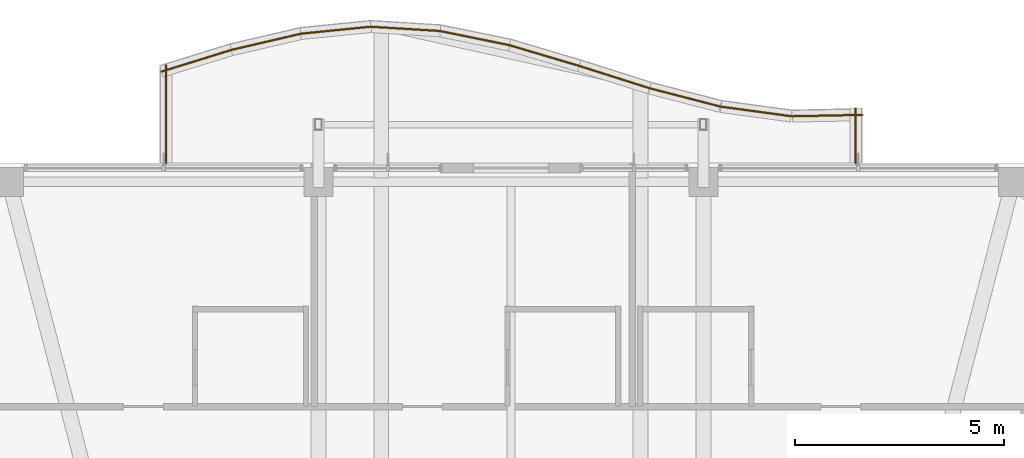
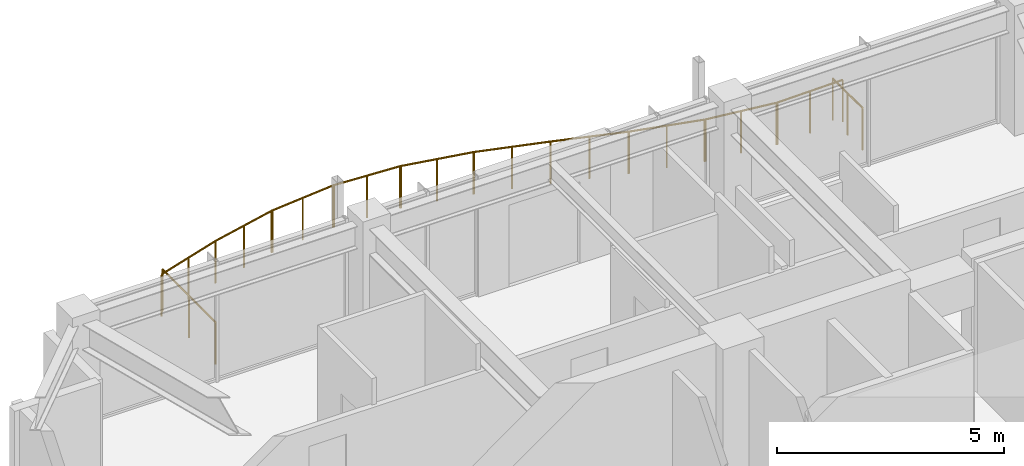
# One storey, part 34 of 34: 12 railings.
"""IFC4 building model written with IfcOpenShell, lengths in metres."""

from ifc_helpers import new_model, si_unit, direction, frame, origin, origin_2d, place, context, subcontext, project, spatial, circle, extrude, material, type_object, element, save


model = new_model("IFC4")

# Units and contexts
model_context = context("Model", 3, precision=1e-05, world=origin(), true_north=direction((0.0, 1.0)))
body_context = subcontext(model_context, "Body", "Model", "MODEL_VIEW")
ifc_project = project(units=[si_unit("LENGTHUNIT", "METRE"), si_unit("AREAUNIT", "SQUARE_METRE"), si_unit("VOLUMEUNIT", "CUBIC_METRE"), si_unit("PLANEANGLEUNIT", "RADIAN"), si_unit("MASSUNIT", "GRAM", prefix="KILO")], contexts=[model_context])

# Site, building, storey
site_placement = place(None, origin())
site = spatial("IfcSite", under=ifc_project, at=site_placement, CompositionType="ELEMENT")
building_placement = place(site_placement, origin())
building = spatial("IfcBuilding", under=site, at=building_placement, Name="Kolvaren Belvedere", CompositionType="ELEMENT")
storey_placement = place(building_placement, frame((0.0, 0.0, 240.89990234375)))
storey = spatial("IfcBuildingStorey", under=building, at=storey_placement, Name="L70", CompositionType="ELEMENT", Elevation=240.89990234375)

# Railings
ifc_material = material(Name="Anodised pale-metal aluminium & laminated glass guard", Category="aluminium")
railing_type = type_object("IfcRailingType", Name="RL-GUARD-1150", PredefinedType="GUARDRAIL", material=ifc_material)
railing_1_placement = place(storey_placement, frame((8.239990234375, 18.39990234375, 0.35009765625)))
element("IfcRailing", 1, at=railing_1_placement, inside=storey, type_object=railing_type, Name="L70 Exterior Deck Safety Guard BAL-N-11", PredefinedType="GUARDRAIL", context=body_context, shape_type="SweptSolid", body=[
    extrude(circle(Radius=0.02392578125, at=origin_2d()), frame((0.0, 0.0, 1.1259765625), z_axis=(0.0, 1.0, 0.0), x_axis=(-1.0, 0.0, 0.0)), (0.0, 0.0, 1.0), 1.31298828125),
    extrude(circle(Radius=0.02099609375, at=origin_2d()), origin(), (0.0, 0.0, 1.0), 1.101806640625),
    extrude(circle(Radius=0.02099609375, at=origin_2d()), frame((0.0, 0.656494140625, 0.0)), (0.0, 0.0, 1.0), 1.101806640625),
    extrude(circle(Radius=0.02099609375, at=origin_2d()), frame((0.0, 1.31298828125, 0.0)), (0.0, 0.0, 1.0), 1.101806640625),
])
railing_2_placement = place(storey_placement, frame((8.4033203125, 19.552978515625, 0.35009765625)))
element("IfcRailing", 2, at=railing_2_placement, inside=storey, type_object=railing_type, Name="L70 Exterior Deck Safety Guard BAL-N-12", PredefinedType="GUARDRAIL", context=body_context, shape_type="SweptSolid", body=[
    extrude(circle(Radius=0.02392578125, at=origin_2d()), frame((0.0, 0.0, 1.1259765625), z_axis=(-0.99979609052, -0.020193498486, 0.0), x_axis=(0.020193498486, -0.99979609052, 0.0)), (0.0, 0.0, 1.0), 1.680419921875),
    extrude(circle(Radius=0.02099609375, at=origin_2d()), origin(), (0.0, 0.0, 1.0), 1.101806640625),
    extrude(circle(Radius=0.02099609375, at=origin_2d()), frame((-0.840087890625, -0.01708984375, 0.0)), (0.0, 0.0, 1.0), 1.101806640625),
    extrude(circle(Radius=0.02099609375, at=origin_2d()), frame((-1.68017578125, -0.033935546875, 0.0)), (0.0, 0.0, 1.0), 1.101806640625),
])
railing_3_placement = place(storey_placement, frame((6.698486328125, 19.5205078125, 0.35009765625)))
element("IfcRailing", 3, at=railing_3_placement, inside=storey, type_object=railing_type, Name="L70 Exterior Deck Safety Guard BAL-N-13", PredefinedType="GUARDRAIL", context=body_context, shape_type="SweptSolid", body=[
    extrude(circle(Radius=0.02392578125, at=origin_2d()), frame((0.0, 0.0, 1.1259765625), z_axis=(-0.990858183042, 0.134907602079, 0.0), x_axis=(-0.134907602079, -0.990858183042, 0.0)), (0.0, 0.0, 1.0), 1.695556640625),
    extrude(circle(Radius=0.02099609375, at=origin_2d()), origin(), (0.0, 0.0, 1.0), 1.101806640625),
    extrude(circle(Radius=0.02099609375, at=origin_2d()), frame((-0.840087890625, 0.1142578125, 0.0)), (0.0, 0.0, 1.0), 1.101806640625),
    extrude(circle(Radius=0.02099609375, at=origin_2d()), frame((-1.68017578125, 0.228759765625, 0.0)), (0.0, 0.0, 1.0), 1.101806640625),
])
railing_4_placement = place(storey_placement, frame((5.0, 19.7529296875, 0.35009765625)))
element("IfcRailing", 4, at=railing_4_placement, inside=storey, type_object=railing_type, Name="L70 Exterior Deck Safety Guard BAL-N-14", PredefinedType="GUARDRAIL", context=body_context, shape_type="SweptSolid", body=[
    extrude(circle(Radius=0.02392578125, at=origin_2d()), frame((0.0, 0.0, 1.1259765625), z_axis=(-0.968141031826, 0.250405556038, 0.0), x_axis=(-0.250405556038, -0.968141031826, 0.0)), (0.0, 0.0, 1.0), 1.7353515625),
    extrude(circle(Radius=0.02099609375, at=origin_2d()), origin(), (0.0, 0.0, 1.0), 1.101806640625),
    extrude(circle(Radius=0.02099609375, at=origin_2d()), frame((-0.840087890625, 0.21728515625, 0.0)), (0.0, 0.0, 1.0), 1.101806640625),
    extrude(circle(Radius=0.02099609375, at=origin_2d()), frame((-1.68017578125, 0.4345703125, 0.0)), (0.0, 0.0, 1.0), 1.101806640625),
])
railing_5_placement = place(storey_placement, frame((3.3115234375, 20.18994140625, 0.35009765625)))
element("IfcRailing", 5, at=railing_5_placement, inside=storey, type_object=railing_type, Name="L70 Exterior Deck Safety Guard BAL-N-15", PredefinedType="GUARDRAIL", context=body_context, shape_type="SweptSolid", body=[
    extrude(circle(Radius=0.02392578125, at=origin_2d()), frame((0.0, 0.0, 1.1259765625), z_axis=(-0.953181954832, 0.302397356111, 0.0), x_axis=(-0.302397356111, -0.953181954832, 0.0)), (0.0, 0.0, 1.0), 1.762451171875),
    extrude(circle(Radius=0.02099609375, at=origin_2d()), origin(), (0.0, 0.0, 1.0), 1.101806640625),
    extrude(circle(Radius=0.02099609375, at=origin_2d()), frame((-0.83984375, 0.2666015625, 0.0)), (0.0, 0.0, 1.0), 1.101806640625),
    extrude(circle(Radius=0.02099609375, at=origin_2d()), frame((-1.679931640625, 0.532958984375, 0.0)), (0.0, 0.0, 1.0), 1.101806640625),
])
railing_6_placement = place(storey_placement, frame((1.634521484375, 20.721923828125, 0.35009765625)))
element("IfcRailing", 6, at=railing_6_placement, inside=storey, type_object=railing_type, Name="L70 Exterior Deck Safety Guard BAL-N-16", PredefinedType="GUARDRAIL", context=body_context, shape_type="SweptSolid", body=[
    extrude(circle(Radius=0.02392578125, at=origin_2d()), frame((0.0, 0.0, 1.1259765625), z_axis=(-0.958536356279, 0.284970268083, 0.0), x_axis=(-0.284970268083, -0.958536356279, 0.0)), (0.0, 0.0, 1.0), 1.7529296875),
    extrude(circle(Radius=0.02099609375, at=origin_2d()), origin(), (0.0, 0.0, 1.0), 1.101806640625),
    extrude(circle(Radius=0.02099609375, at=origin_2d()), frame((-0.840087890625, 0.249755859375, 0.0)), (0.0, 0.0, 1.0), 1.101806640625),
    extrude(circle(Radius=0.02099609375, at=origin_2d()), frame((-1.68017578125, 0.49951171875, 0.0)), (0.0, 0.0, 1.0), 1.101806640625),
])
railing_7_placement = place(storey_placement, frame((-0.031982421875, 21.218017578125, 0.35009765625)))
element("IfcRailing", 7, at=railing_7_placement, inside=storey, type_object=railing_type, Name="L70 Exterior Deck Safety Guard BAL-N-17", PredefinedType="GUARDRAIL", context=body_context, shape_type="SweptSolid", body=[
    extrude(circle(Radius=0.02392578125, at=origin_2d()), frame((0.0, 0.0, 1.1259765625), z_axis=(-0.979867779516, 0.199647526069, 0.0), x_axis=(-0.199647526069, -0.979867779516, 0.0)), (0.0, 0.0, 1.0), 1.71435546875),
    extrude(circle(Radius=0.02099609375, at=origin_2d()), origin(), (0.0, 0.0, 1.0), 1.101806640625),
    extrude(circle(Radius=0.02099609375, at=origin_2d()), frame((-0.83984375, 0.171142578125, 0.0)), (0.0, 0.0, 1.0), 1.101806640625),
    extrude(circle(Radius=0.02099609375, at=origin_2d()), frame((-1.679931640625, 0.34228515625, 0.0)), (0.0, 0.0, 1.0), 1.101806640625),
])
railing_8_placement = place(storey_placement, frame((-1.689697265625, 21.5576171875, 0.35009765625)))
element("IfcRailing", 8, at=railing_8_placement, inside=storey, type_object=railing_type, Name="L70 Exterior Deck Safety Guard BAL-N-18", PredefinedType="GUARDRAIL", context=body_context, shape_type="SweptSolid", body=[
    extrude(circle(Radius=0.02392578125, at=origin_2d()), frame((0.0, 0.0, 1.1259765625), z_axis=(-0.998134101522, 0.061059932685, 0.0), x_axis=(-0.061059932685, -0.998134101522, 0.0)), (0.0, 0.0, 1.0), 1.683349609375),
    extrude(circle(Radius=0.02099609375, at=origin_2d()), origin(), (0.0, 0.0, 1.0), 1.101806640625),
    extrude(circle(Radius=0.02099609375, at=origin_2d()), frame((-0.840087890625, 0.05126953125, 0.0)), (0.0, 0.0, 1.0), 1.101806640625),
    extrude(circle(Radius=0.02099609375, at=origin_2d()), frame((-1.68017578125, 0.102783203125, 0.0)), (0.0, 0.0, 1.0), 1.101806640625),
])
railing_9_placement = place(storey_placement, frame((-3.343994140625, 21.660888671875, 0.35009765625)))
element("IfcRailing", 9, at=railing_9_placement, inside=storey, type_object=railing_type, Name="L70 Exterior Deck Safety Guard BAL-N-19", PredefinedType="GUARDRAIL", context=body_context, shape_type="SweptSolid", body=[
    extrude(circle(Radius=0.02392578125, at=origin_2d()), frame((0.0, 0.0, 1.1259765625), z_axis=(-0.995025731437, -0.099618240186, 0.0), x_axis=(0.099618240186, -0.995025731437, 0.0)), (0.0, 0.0, 1.0), 1.6884765625),
    extrude(circle(Radius=0.02099609375, at=origin_2d()), origin(), (0.0, 0.0, 1.0), 1.101806640625),
    extrude(circle(Radius=0.02099609375, at=origin_2d()), frame((-0.840087890625, -0.083984375, 0.0)), (0.0, 0.0, 1.0), 1.101806640625),
    extrude(circle(Radius=0.02099609375, at=origin_2d()), frame((-1.68017578125, -0.168212890625, 0.0)), (0.0, 0.0, 1.0), 1.101806640625),
])
railing_10_placement = place(storey_placement, frame((-5.003662109375, 21.49609375, 0.35009765625)))
element("IfcRailing", 10, at=railing_10_placement, inside=storey, type_object=railing_type, Name="L70 Exterior Deck Safety Guard BAL-N-20", PredefinedType="GUARDRAIL", context=body_context, shape_type="SweptSolid", body=[
    extrude(circle(Radius=0.02392578125, at=origin_2d()), frame((0.0, 0.0, 1.1259765625), z_axis=(-0.973890253884, -0.227019323824, 0.0), x_axis=(0.227019323824, -0.973890253884, 0.0)), (0.0, 0.0, 1.0), 1.724853515625),
    extrude(circle(Radius=0.02099609375, at=origin_2d()), origin(), (0.0, 0.0, 1.0), 1.101806640625),
    extrude(circle(Radius=0.02099609375, at=origin_2d()), frame((-0.83984375, -0.19580078125, 0.0)), (0.0, 0.0, 1.0), 1.101806640625),
    extrude(circle(Radius=0.02099609375, at=origin_2d()), frame((-1.679931640625, -0.3916015625, 0.0)), (0.0, 0.0, 1.0), 1.101806640625),
])
railing_11_placement = place(storey_placement, frame((-6.672607421875, 21.107421875, 0.35009765625)))
element("IfcRailing", 11, at=railing_11_placement, inside=storey, type_object=railing_type, Name="L70 Exterior Deck Safety Guard BAL-N-21", PredefinedType="GUARDRAIL", context=body_context, shape_type="SweptSolid", body=[
    extrude(circle(Radius=0.02392578125, at=origin_2d()), frame((0.0, 0.0, 1.1259765625), z_axis=(-0.955252278476, -0.29579229954, 0.0), x_axis=(0.29579229954, -0.955252278476, 0.0)), (0.0, 0.0, 1.0), 1.7587890625),
    extrude(circle(Radius=0.02099609375, at=origin_2d()), origin(), (0.0, 0.0, 1.0), 1.101806640625),
    extrude(circle(Radius=0.02099609375, at=origin_2d()), frame((-0.840087890625, -0.26025390625, 0.0)), (0.0, 0.0, 1.0), 1.101806640625),
    extrude(circle(Radius=0.02099609375, at=origin_2d()), frame((-1.68017578125, -0.520263671875, 0.0)), (0.0, 0.0, 1.0), 1.101806640625),
])
railing_12_placement = place(storey_placement, frame((-8.239990234375, 20.739990234375, 0.35009765625)))
element("IfcRailing", 12, at=railing_12_placement, inside=storey, type_object=railing_type, Name="L70 Exterior Deck Safety Guard BAL-N-22", PredefinedType="GUARDRAIL", context=body_context, shape_type="SweptSolid", body=[
    extrude(circle(Radius=0.02392578125, at=origin_2d()), frame((0.0, 0.0, 1.1259765625), z_axis=(0.0, -1.0, 0.0), x_axis=(1.0, 0.0, 0.0)), (0.0, 0.0, 1.0), 2.340087890625),
    extrude(circle(Radius=0.02099609375, at=origin_2d()), origin(), (0.0, 0.0, 1.0), 1.101806640625),
    extrude(circle(Radius=0.02099609375, at=origin_2d()), frame((0.0, -1.169921875, 0.0)), (0.0, 0.0, 1.0), 1.101806640625),
    extrude(circle(Radius=0.02099609375, at=origin_2d()), frame((0.0, -2.340087890625, 0.0)), (0.0, 0.0, 1.0), 1.101806640625),
])

save(model, "model.ifc")
